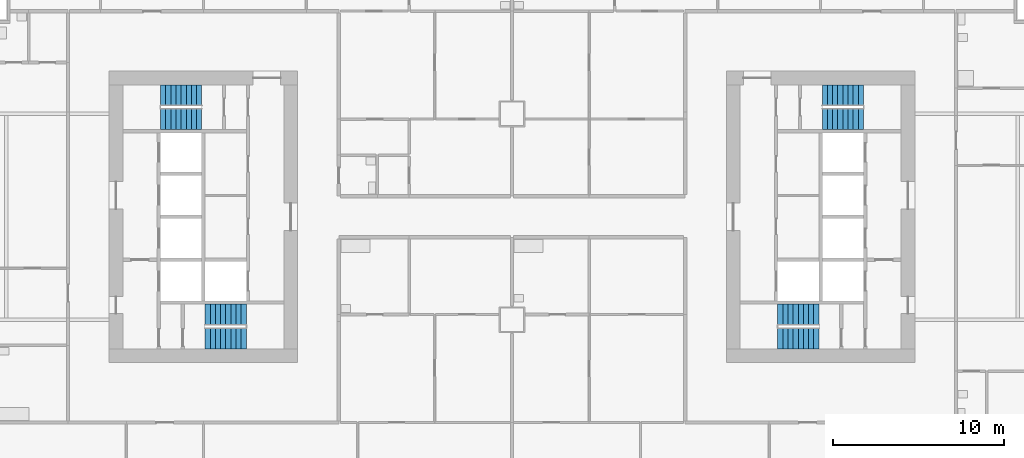
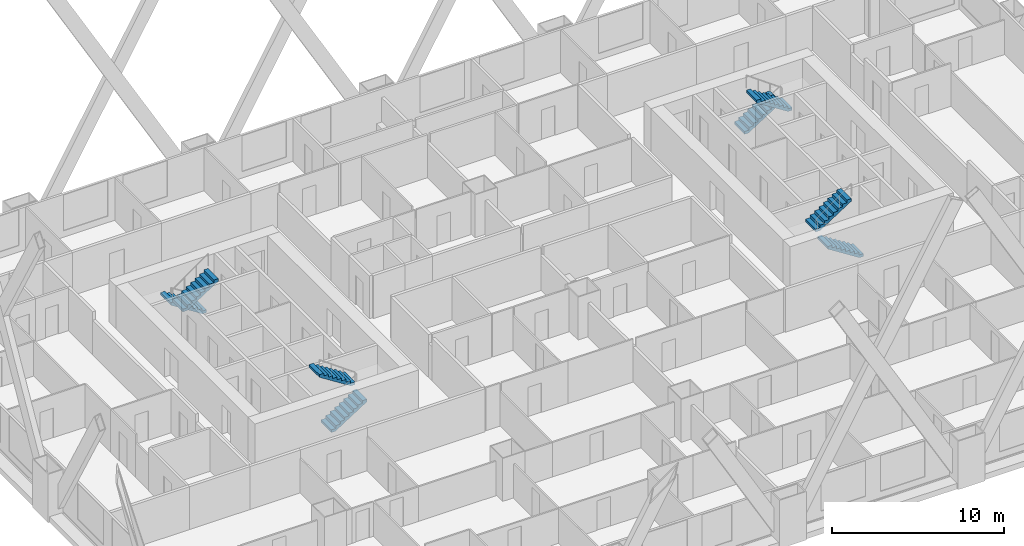
# One storey, part 11 of 13: 8 stair flights, 4 elements without a shape of their own.
"""IFC4 building model written with IfcOpenShell, lengths in metres."""

from ifc_helpers import new_model, si_unit, direction, frame, origin, place, context, subcontext, project, spatial, polyline, outline, extrude, material, type_object, element, aggregate, save


model = new_model("IFC4")

# Units and contexts
model_context = context("Model", 3, precision=1e-05, world=origin(), true_north=direction((0.0, 1.0)))
body_context = subcontext(model_context, "Body", "Model", "MODEL_VIEW")
ifc_project = project(units=[si_unit("LENGTHUNIT", "METRE"), si_unit("AREAUNIT", "SQUARE_METRE"), si_unit("VOLUMEUNIT", "CUBIC_METRE"), si_unit("PLANEANGLEUNIT", "RADIAN"), si_unit("MASSUNIT", "GRAM", prefix="KILO")], contexts=[model_context])

# Site, building, storey
site_placement = place(None, origin())
site = spatial("IfcSite", under=ifc_project, at=site_placement, CompositionType="ELEMENT")
building_placement = place(site_placement, origin())
building = spatial("IfcBuilding", under=site, at=building_placement, Name="Kitamizu Gate Tower and Museum", CompositionType="ELEMENT")
storey_placement = place(building_placement, frame((0.0, 0.0, 30.0)))
storey = spatial("IfcBuildingStorey", under=building, at=storey_placement, Name="L05", CompositionType="ELEMENT", Elevation=30.0)

# Stair, stair flights
ifc_material_1 = material(Name="Concrete Fc42", Category="concrete")
stair_type = type_object("IfcStairType", Name="Exit stair 1200 wide 192 rise 300 going", PredefinedType="HALF_TURN_STAIR", material=ifc_material_1)
stair_1_placement = place(storey_placement, origin())
stair_1 = element("IfcStair", 1, at=stair_1_placement, inside=storey, type_object=stair_type, Name="Exit stair ST1", PredefinedType="HALF_TURN_STAIR")
ifc_material_2 = material(Name="Concrete Fc42", Category="concrete")
stair_flight_type = type_object("IfcStairFlightType", Name="Stair flight 1200 wide 192 rise 300 going", PredefinedType="STRAIGHT", material=ifc_material_2)
stair_flight_1_placement = place(storey_placement, frame((18.10009765625, 22.89990234375, 0.0), z_axis=(0.0, 0.0, 1.0), x_axis=(1.0, 0.0, 0.0)))
stair_flight_1 = element("IfcStairFlight", 2, at=stair_flight_1_placement, type_object=stair_flight_type, Name="ST1 flight 1", NumberOfRisers=9, NumberOfTreads=8, PredefinedType="STRAIGHT", RiserHeight=0.191666667, TreadLength=0.3, context=body_context, shape_type="SweptSolid", body=[
    extrude(outline(polyline([(0.0, 0.0), (0.0, 0.191650390625), (0.300048828125, 0.191650390625), (0.300048828125, 0.38330078125), (0.60009765625, 0.38330078125), (0.60009765625, 0.574951171875), (0.89990234375, 0.574951171875), (0.89990234375, 0.7666015625), (1.199951171875, 0.7666015625), (1.199951171875, 0.958251953125), (1.5, 0.958251953125), (1.5, 1.14990234375), (1.800048828125, 1.14990234375), (1.800048828125, 1.341552734375), (2.10009765625, 1.341552734375), (2.10009765625, 1.533447265625), (2.39990234375, 1.533447265625), (2.39990234375, 1.72509765625), (2.39990234375, 1.35546875), (0.2783203125, 0.0), (0.0, 0.0)])), frame((0.0, 0.60009765625, 0.0), z_axis=(0.0, -1.0, 0.0), x_axis=(1.0, 0.0, 0.0)), (0.0, 0.0, 1.0), 1.199951171875),
])
stair_flight_2_placement = place(storey_placement, frame((20.5, 24.300048828125, 1.72509765625), z_axis=(0.0, 0.0, 1.0), x_axis=(-1.0, 0.0, 0.0)))
stair_flight_2 = element("IfcStairFlight", 3, at=stair_flight_2_placement, type_object=stair_flight_type, Name="ST1 flight 2", NumberOfRisers=9, NumberOfTreads=8, PredefinedType="STRAIGHT", RiserHeight=0.191666667, TreadLength=0.3, context=body_context, shape_type="SweptSolid", body=[
    extrude(outline(polyline([(0.0, 0.0), (0.0, 0.191650390625), (0.300048828125, 0.191650390625), (0.300048828125, 0.38330078125), (0.60009765625, 0.38330078125), (0.60009765625, 0.574951171875), (0.89990234375, 0.574951171875), (0.89990234375, 0.7666015625), (1.199951171875, 0.7666015625), (1.199951171875, 0.958251953125), (1.5, 0.958251953125), (1.5, 1.14990234375), (1.800048828125, 1.14990234375), (1.800048828125, 1.341552734375), (2.10009765625, 1.341552734375), (2.10009765625, 1.533447265625), (2.39990234375, 1.533447265625), (2.39990234375, 1.72509765625), (2.39990234375, 1.35546875), (0.2783203125, 0.0), (0.0, 0.0)])), frame((0.0, 0.60009765625, 0.0), z_axis=(0.0, -1.0, 0.0), x_axis=(1.0, 0.0, 0.0)), (0.0, 0.0, 1.0), 1.199951171875),
])
aggregate(stair_1, [stair_flight_1, stair_flight_2])

stair_2_placement = place(storey_placement, origin())
stair_2 = element("IfcStair", 4, at=stair_2_placement, inside=storey, type_object=stair_type, Name="Exit stair ST2", PredefinedType="HALF_TURN_STAIR")
stair_flight_3_placement = place(storey_placement, frame((17.89990234375, 37.10009765625, 0.0), z_axis=(0.0, 0.0, 1.0), x_axis=(-1.0, 0.0, 0.0)))
stair_flight_3 = element("IfcStairFlight", 5, at=stair_flight_3_placement, type_object=stair_flight_type, Name="ST2 flight 1", NumberOfRisers=9, NumberOfTreads=8, PredefinedType="STRAIGHT", RiserHeight=0.191666667, TreadLength=0.3, context=body_context, shape_type="SweptSolid", body=[
    extrude(outline(polyline([(0.0, 0.0), (0.0, 0.191650390625), (0.300048828125, 0.191650390625), (0.300048828125, 0.38330078125), (0.60009765625, 0.38330078125), (0.60009765625, 0.574951171875), (0.89990234375, 0.574951171875), (0.89990234375, 0.7666015625), (1.199951171875, 0.7666015625), (1.199951171875, 0.958251953125), (1.5, 0.958251953125), (1.5, 1.14990234375), (1.800048828125, 1.14990234375), (1.800048828125, 1.341552734375), (2.10009765625, 1.341552734375), (2.10009765625, 1.533447265625), (2.39990234375, 1.533447265625), (2.39990234375, 1.72509765625), (2.39990234375, 1.35546875), (0.2783203125, 0.0), (0.0, 0.0)])), frame((0.0, 0.60009765625, 0.0), z_axis=(0.0, -1.0, 0.0), x_axis=(1.0, 0.0, 0.0)), (0.0, 0.0, 1.0), 1.199951171875),
])
stair_flight_4_placement = place(storey_placement, frame((15.5, 35.699951171875, 1.72509765625), z_axis=(0.0, 0.0, 1.0), x_axis=(1.0, 0.0, 0.0)))
stair_flight_4 = element("IfcStairFlight", 6, at=stair_flight_4_placement, type_object=stair_flight_type, Name="ST2 flight 2", NumberOfRisers=9, NumberOfTreads=8, PredefinedType="STRAIGHT", RiserHeight=0.191666667, TreadLength=0.3, context=body_context, shape_type="SweptSolid", body=[
    extrude(outline(polyline([(0.0, 0.0), (0.0, 0.191650390625), (0.300048828125, 0.191650390625), (0.300048828125, 0.38330078125), (0.60009765625, 0.38330078125), (0.60009765625, 0.574951171875), (0.89990234375, 0.574951171875), (0.89990234375, 0.7666015625), (1.199951171875, 0.7666015625), (1.199951171875, 0.958251953125), (1.5, 0.958251953125), (1.5, 1.14990234375), (1.800048828125, 1.14990234375), (1.800048828125, 1.341552734375), (2.10009765625, 1.341552734375), (2.10009765625, 1.533447265625), (2.39990234375, 1.533447265625), (2.39990234375, 1.72509765625), (2.39990234375, 1.35546875), (0.2783203125, 0.0), (0.0, 0.0)])), frame((0.0, 0.60009765625, 0.0), z_axis=(0.0, -1.0, 0.0), x_axis=(1.0, 0.0, 0.0)), (0.0, 0.0, 1.0), 1.199951171875),
])
aggregate(stair_2, [stair_flight_3, stair_flight_4])

stair_3_placement = place(storey_placement, origin())
stair_3 = element("IfcStair", 7, at=stair_3_placement, inside=storey, type_object=stair_type, Name="Exit stair ST3", PredefinedType="HALF_TURN_STAIR")
stair_flight_5_placement = place(storey_placement, frame((53.89990234375, 22.89990234375, 0.0), z_axis=(0.0, 0.0, 1.0), x_axis=(-1.0, 0.0, 0.0)))
stair_flight_5 = element("IfcStairFlight", 8, at=stair_flight_5_placement, type_object=stair_flight_type, Name="ST3 flight 1", NumberOfRisers=9, NumberOfTreads=8, PredefinedType="STRAIGHT", RiserHeight=0.191666667, TreadLength=0.3, context=body_context, shape_type="SweptSolid", body=[
    extrude(outline(polyline([(0.0, 0.0), (0.0, 0.191650390625), (0.300048828125, 0.191650390625), (0.300048828125, 0.38330078125), (0.60009765625, 0.38330078125), (0.60009765625, 0.574951171875), (0.89990234375, 0.574951171875), (0.89990234375, 0.7666015625), (1.199951171875, 0.7666015625), (1.199951171875, 0.958251953125), (1.5, 0.958251953125), (1.5, 1.14990234375), (1.800048828125, 1.14990234375), (1.800048828125, 1.341552734375), (2.10009765625, 1.341552734375), (2.10009765625, 1.533447265625), (2.39990234375, 1.533447265625), (2.39990234375, 1.72509765625), (2.39990234375, 1.35546875), (0.2783203125, 0.0), (0.0, 0.0)])), frame((0.0, 0.60009765625, 0.0), z_axis=(0.0, -1.0, 0.0), x_axis=(1.0, 0.0, 0.0)), (0.0, 0.0, 1.0), 1.199951171875),
])
stair_flight_6_placement = place(storey_placement, frame((51.5, 24.300048828125, 1.72509765625), z_axis=(0.0, 0.0, 1.0), x_axis=(1.0, 0.0, 0.0)))
stair_flight_6 = element("IfcStairFlight", 9, at=stair_flight_6_placement, type_object=stair_flight_type, Name="ST3 flight 2", NumberOfRisers=9, NumberOfTreads=8, PredefinedType="STRAIGHT", RiserHeight=0.191666667, TreadLength=0.3, context=body_context, shape_type="SweptSolid", body=[
    extrude(outline(polyline([(0.0, 0.0), (0.0, 0.191650390625), (0.300048828125, 0.191650390625), (0.300048828125, 0.38330078125), (0.60009765625, 0.38330078125), (0.60009765625, 0.574951171875), (0.89990234375, 0.574951171875), (0.89990234375, 0.7666015625), (1.199951171875, 0.7666015625), (1.199951171875, 0.958251953125), (1.5, 0.958251953125), (1.5, 1.14990234375), (1.800048828125, 1.14990234375), (1.800048828125, 1.341552734375), (2.10009765625, 1.341552734375), (2.10009765625, 1.533447265625), (2.39990234375, 1.533447265625), (2.39990234375, 1.72509765625), (2.39990234375, 1.35546875), (0.2783203125, 0.0), (0.0, 0.0)])), frame((0.0, 0.60009765625, 0.0), z_axis=(0.0, -1.0, 0.0), x_axis=(1.0, 0.0, 0.0)), (0.0, 0.0, 1.0), 1.199951171875),
])
aggregate(stair_3, [stair_flight_5, stair_flight_6])

stair_4_placement = place(storey_placement, origin())
stair_4 = element("IfcStair", 10, at=stair_4_placement, inside=storey, type_object=stair_type, Name="Exit stair ST4", PredefinedType="HALF_TURN_STAIR")
stair_flight_7_placement = place(storey_placement, frame((54.10009765625, 37.10009765625, 0.0), z_axis=(0.0, 0.0, 1.0), x_axis=(1.0, 0.0, 0.0)))
stair_flight_7 = element("IfcStairFlight", 11, at=stair_flight_7_placement, type_object=stair_flight_type, Name="ST4 flight 1", NumberOfRisers=9, NumberOfTreads=8, PredefinedType="STRAIGHT", RiserHeight=0.191666667, TreadLength=0.3, context=body_context, shape_type="SweptSolid", body=[
    extrude(outline(polyline([(0.0, 0.0), (0.0, 0.191650390625), (0.300048828125, 0.191650390625), (0.300048828125, 0.38330078125), (0.60009765625, 0.38330078125), (0.60009765625, 0.574951171875), (0.89990234375, 0.574951171875), (0.89990234375, 0.7666015625), (1.199951171875, 0.7666015625), (1.199951171875, 0.958251953125), (1.5, 0.958251953125), (1.5, 1.14990234375), (1.800048828125, 1.14990234375), (1.800048828125, 1.341552734375), (2.10009765625, 1.341552734375), (2.10009765625, 1.533447265625), (2.39990234375, 1.533447265625), (2.39990234375, 1.72509765625), (2.39990234375, 1.35546875), (0.2783203125, 0.0), (0.0, 0.0)])), frame((0.0, 0.60009765625, 0.0), z_axis=(0.0, -1.0, 0.0), x_axis=(1.0, 0.0, 0.0)), (0.0, 0.0, 1.0), 1.199951171875),
])
stair_flight_8_placement = place(storey_placement, frame((56.5, 35.699951171875, 1.72509765625), z_axis=(0.0, 0.0, 1.0), x_axis=(-1.0, 0.0, 0.0)))
stair_flight_8 = element("IfcStairFlight", 12, at=stair_flight_8_placement, type_object=stair_flight_type, Name="ST4 flight 2", NumberOfRisers=9, NumberOfTreads=8, PredefinedType="STRAIGHT", RiserHeight=0.191666667, TreadLength=0.3, context=body_context, shape_type="SweptSolid", body=[
    extrude(outline(polyline([(0.0, 0.0), (0.0, 0.191650390625), (0.300048828125, 0.191650390625), (0.300048828125, 0.38330078125), (0.60009765625, 0.38330078125), (0.60009765625, 0.574951171875), (0.89990234375, 0.574951171875), (0.89990234375, 0.7666015625), (1.199951171875, 0.7666015625), (1.199951171875, 0.958251953125), (1.5, 0.958251953125), (1.5, 1.14990234375), (1.800048828125, 1.14990234375), (1.800048828125, 1.341552734375), (2.10009765625, 1.341552734375), (2.10009765625, 1.533447265625), (2.39990234375, 1.533447265625), (2.39990234375, 1.72509765625), (2.39990234375, 1.35546875), (0.2783203125, 0.0), (0.0, 0.0)])), frame((0.0, 0.60009765625, 0.0), z_axis=(0.0, -1.0, 0.0), x_axis=(1.0, 0.0, 0.0)), (0.0, 0.0, 1.0), 1.199951171875),
])
aggregate(stair_4, [stair_flight_7, stair_flight_8])

save(model, "model.ifc")
